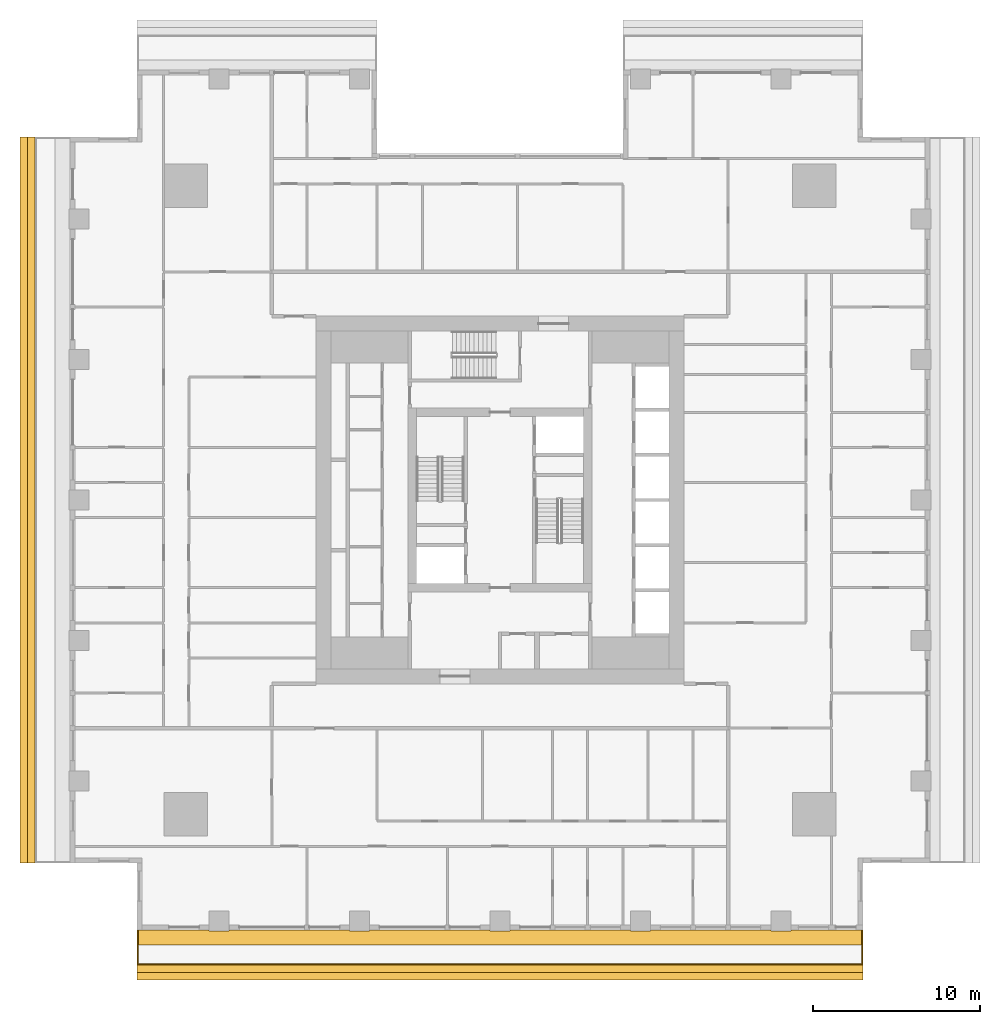
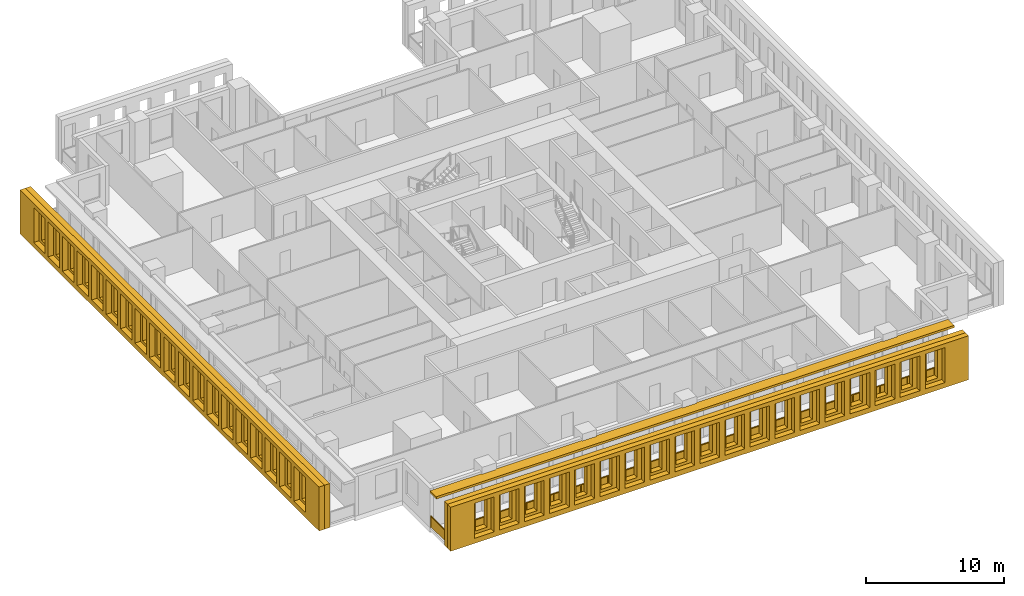
# One storey, part 11 of 16: 5 shading devices, 1 railing.
"""IFC4 building model written with IfcOpenShell, lengths in metres."""

from ifc_helpers import new_model, si_unit, direction, frame, origin, origin_2d, place, context, subcontext, project, spatial, polyline, rectangle, outline, extrude, material, layer, layer_set, type_object, element, save


model = new_model("IFC4")

# Units and contexts
model_context = context("Model", 3, precision=1e-05, world=origin(), true_north=direction((0.0, 1.0)))
body_context = subcontext(model_context, "Body", "Model", "MODEL_VIEW")
ifc_project = project(units=[si_unit("LENGTHUNIT", "METRE"), si_unit("AREAUNIT", "SQUARE_METRE"), si_unit("VOLUMEUNIT", "CUBIC_METRE"), si_unit("PLANEANGLEUNIT", "RADIAN"), si_unit("MASSUNIT", "GRAM", prefix="KILO")], contexts=[model_context])

# Site, building, storey
site_placement = place(None, origin())
site = spatial("IfcSite", under=ifc_project, at=site_placement, CompositionType="ELEMENT")
building_placement = place(site_placement, origin())
building = spatial("IfcBuilding", under=site, at=building_placement, Name="Khepri Terraces", CompositionType="ELEMENT")
storey_placement = place(building_placement, frame((0.0, 0.0, 153.300048828125)))
storey = spatial("IfcBuildingStorey", under=building, at=storey_placement, Name="L36", CompositionType="ELEMENT", Elevation=153.300048828125)

# Railing
ifc_material_1 = material(Name="Stainless steel grade 316", Category="steel")
railing_type = type_object("IfcRailingType", Name="GRD-BAL-1100", PredefinedType="GUARDRAIL", material=ifc_material_1)
railing_placement = place(storey_placement, frame((-21.669921875, -25.719970703125, 0.0)))
element("IfcRailing", 1, at=railing_placement, inside=storey, type_object=railing_type, Name="Balcony guard L36 S", PredefinedType="GUARDRAIL", context=body_context, shape_type="SweptSolid", body=[
    extrude(rectangle(XDim=0.050048828125, YDim=0.06005859375, at=origin_2d()), frame((0.0, 0.0, 1.070068359375), z_axis=(0.0, -1.0, 0.0), x_axis=(1.0, 0.0, 0.0)), (0.0, 0.0, 1.0), 2.050048828125),
    extrude(rectangle(XDim=2.0, YDim=0.011962890625, at=origin_2d()), frame((0.0, -1.02490234375, 0.10009765625), z_axis=(0.0, 0.0, 1.0), x_axis=(0.0, -1.0, 0.0)), (0.0, 0.0, 1.0), 0.93994140625),
    extrude(rectangle(XDim=0.050048828125, YDim=0.06005859375, at=origin_2d()), frame((0.0, -2.050048828125, 1.070068359375), z_axis=(1.0, 0.0, 0.0), x_axis=(0.0, 1.0, 0.0)), (0.0, 0.0, 1.0), 43.33984375),
    extrude(rectangle(XDim=2.23095703125, YDim=0.011962890625, at=origin_2d()), frame((1.140625, -2.050048828125, 0.10009765625), z_axis=(0.0, 0.0, 1.0), x_axis=(1.0, 0.0, 0.0)), (0.0, 0.0, 1.0), 0.93994140625),
    extrude(rectangle(XDim=2.23095703125, YDim=0.011962890625, at=origin_2d()), frame((3.421630859375, -2.050048828125, 0.10009765625), z_axis=(0.0, 0.0, 1.0), x_axis=(1.0, 0.0, 0.0)), (0.0, 0.0, 1.0), 0.93994140625),
    extrude(rectangle(XDim=2.23095703125, YDim=0.011962890625, at=origin_2d()), frame((5.70263671875, -2.050048828125, 0.10009765625), z_axis=(0.0, 0.0, 1.0), x_axis=(1.0, 0.0, 0.0)), (0.0, 0.0, 1.0), 0.93994140625),
    extrude(rectangle(XDim=2.23095703125, YDim=0.011962890625, at=origin_2d()), frame((7.983642578125, -2.050048828125, 0.10009765625), z_axis=(0.0, 0.0, 1.0), x_axis=(1.0, 0.0, 0.0)), (0.0, 0.0, 1.0), 0.93994140625),
    extrude(rectangle(XDim=2.23095703125, YDim=0.011962890625, at=origin_2d()), frame((10.2646484375, -2.050048828125, 0.10009765625), z_axis=(0.0, 0.0, 1.0), x_axis=(1.0, 0.0, 0.0)), (0.0, 0.0, 1.0), 0.93994140625),
    extrude(rectangle(XDim=2.23095703125, YDim=0.011962890625, at=origin_2d()), frame((12.545654296875, -2.050048828125, 0.10009765625), z_axis=(0.0, 0.0, 1.0), x_axis=(1.0, 0.0, 0.0)), (0.0, 0.0, 1.0), 0.93994140625),
    extrude(rectangle(XDim=2.23095703125, YDim=0.011962890625, at=origin_2d()), frame((14.826904296875, -2.050048828125, 0.10009765625), z_axis=(0.0, 0.0, 1.0), x_axis=(1.0, 0.0, 0.0)), (0.0, 0.0, 1.0), 0.93994140625),
    extrude(rectangle(XDim=2.23095703125, YDim=0.011962890625, at=origin_2d()), frame((17.10791015625, -2.050048828125, 0.10009765625), z_axis=(0.0, 0.0, 1.0), x_axis=(1.0, 0.0, 0.0)), (0.0, 0.0, 1.0), 0.93994140625),
    extrude(rectangle(XDim=2.23095703125, YDim=0.011962890625, at=origin_2d()), frame((19.388916015625, -2.050048828125, 0.10009765625), z_axis=(0.0, 0.0, 1.0), x_axis=(1.0, 0.0, 0.0)), (0.0, 0.0, 1.0), 0.93994140625),
    extrude(rectangle(XDim=2.23095703125, YDim=0.011962890625, at=origin_2d()), frame((21.669921875, -2.050048828125, 0.10009765625), z_axis=(0.0, 0.0, 1.0), x_axis=(1.0, 0.0, 0.0)), (0.0, 0.0, 1.0), 0.93994140625),
    extrude(rectangle(XDim=2.23095703125, YDim=0.011962890625, at=origin_2d()), frame((23.950927734375, -2.050048828125, 0.10009765625), z_axis=(0.0, 0.0, 1.0), x_axis=(1.0, 0.0, 0.0)), (0.0, 0.0, 1.0), 0.93994140625),
    extrude(rectangle(XDim=2.23095703125, YDim=0.011962890625, at=origin_2d()), frame((26.23193359375, -2.050048828125, 0.10009765625), z_axis=(0.0, 0.0, 1.0), x_axis=(1.0, 0.0, 0.0)), (0.0, 0.0, 1.0), 0.93994140625),
    extrude(rectangle(XDim=2.23095703125, YDim=0.011962890625, at=origin_2d()), frame((28.512939453125, -2.050048828125, 0.10009765625), z_axis=(0.0, 0.0, 1.0), x_axis=(1.0, 0.0, 0.0)), (0.0, 0.0, 1.0), 0.93994140625),
    extrude(rectangle(XDim=2.23095703125, YDim=0.011962890625, at=origin_2d()), frame((30.794189453125, -2.050048828125, 0.10009765625), z_axis=(0.0, 0.0, 1.0), x_axis=(1.0, 0.0, 0.0)), (0.0, 0.0, 1.0), 0.93994140625),
    extrude(rectangle(XDim=2.23095703125, YDim=0.011962890625, at=origin_2d()), frame((33.0751953125, -2.050048828125, 0.10009765625), z_axis=(0.0, 0.0, 1.0), x_axis=(1.0, 0.0, 0.0)), (0.0, 0.0, 1.0), 0.93994140625),
    extrude(rectangle(XDim=2.23095703125, YDim=0.011962890625, at=origin_2d()), frame((35.356201171875, -2.050048828125, 0.10009765625), z_axis=(0.0, 0.0, 1.0), x_axis=(1.0, 0.0, 0.0)), (0.0, 0.0, 1.0), 0.93994140625),
    extrude(rectangle(XDim=2.23095703125, YDim=0.011962890625, at=origin_2d()), frame((37.63720703125, -2.050048828125, 0.10009765625), z_axis=(0.0, 0.0, 1.0), x_axis=(1.0, 0.0, 0.0)), (0.0, 0.0, 1.0), 0.93994140625),
    extrude(rectangle(XDim=2.23095703125, YDim=0.011962890625, at=origin_2d()), frame((39.918212890625, -2.050048828125, 0.10009765625), z_axis=(0.0, 0.0, 1.0), x_axis=(1.0, 0.0, 0.0)), (0.0, 0.0, 1.0), 0.93994140625),
    extrude(rectangle(XDim=2.23095703125, YDim=0.011962890625, at=origin_2d()), frame((42.19921875, -2.050048828125, 0.10009765625), z_axis=(0.0, 0.0, 1.0), x_axis=(1.0, 0.0, 0.0)), (0.0, 0.0, 1.0), 0.93994140625),
    extrude(rectangle(XDim=0.050048828125, YDim=0.06005859375, at=origin_2d()), frame((43.33984375, -2.050048828125, 1.070068359375), z_axis=(0.0, 1.0, 0.0), x_axis=(-1.0, 0.0, 0.0)), (0.0, 0.0, 1.0), 2.050048828125),
    extrude(rectangle(XDim=2.0, YDim=0.011962890625, at=origin_2d()), frame((43.33984375, -1.02490234375, 0.10009765625), z_axis=(0.0, 0.0, 1.0), x_axis=(0.0, 1.0, 0.0)), (0.0, 0.0, 1.0), 0.93994140625),
    extrude(rectangle(XDim=0.050048828125, YDim=0.050048828125, at=origin_2d()), origin(), (0.0, 0.0, 1.0), 1.0400390625),
    extrude(rectangle(XDim=0.050048828125, YDim=0.050048828125, at=origin_2d()), frame((0.0, -2.050048828125, 0.0)), (0.0, 0.0, 1.0), 1.0400390625),
    extrude(rectangle(XDim=0.050048828125, YDim=0.050048828125, at=origin_2d()), frame((2.281005859375, -2.050048828125, 0.0)), (0.0, 0.0, 1.0), 1.0400390625),
    extrude(rectangle(XDim=0.050048828125, YDim=0.050048828125, at=origin_2d()), frame((4.56201171875, -2.050048828125, 0.0)), (0.0, 0.0, 1.0), 1.0400390625),
    extrude(rectangle(XDim=0.050048828125, YDim=0.050048828125, at=origin_2d()), frame((6.843017578125, -2.050048828125, 0.0)), (0.0, 0.0, 1.0), 1.0400390625),
    extrude(rectangle(XDim=0.050048828125, YDim=0.050048828125, at=origin_2d()), frame((9.124267578125, -2.050048828125, 0.0)), (0.0, 0.0, 1.0), 1.0400390625),
    extrude(rectangle(XDim=0.050048828125, YDim=0.050048828125, at=origin_2d()), frame((11.4052734375, -2.050048828125, 0.0)), (0.0, 0.0, 1.0), 1.0400390625),
    extrude(rectangle(XDim=0.050048828125, YDim=0.050048828125, at=origin_2d()), frame((13.686279296875, -2.050048828125, 0.0)), (0.0, 0.0, 1.0), 1.0400390625),
    extrude(rectangle(XDim=0.050048828125, YDim=0.050048828125, at=origin_2d()), frame((15.96728515625, -2.050048828125, 0.0)), (0.0, 0.0, 1.0), 1.0400390625),
    extrude(rectangle(XDim=0.050048828125, YDim=0.050048828125, at=origin_2d()), frame((18.248291015625, -2.050048828125, 0.0)), (0.0, 0.0, 1.0), 1.0400390625),
    extrude(rectangle(XDim=0.050048828125, YDim=0.050048828125, at=origin_2d()), frame((20.529296875, -2.050048828125, 0.0)), (0.0, 0.0, 1.0), 1.0400390625),
    extrude(rectangle(XDim=0.050048828125, YDim=0.050048828125, at=origin_2d()), frame((22.810546875, -2.050048828125, 0.0)), (0.0, 0.0, 1.0), 1.0400390625),
    extrude(rectangle(XDim=0.050048828125, YDim=0.050048828125, at=origin_2d()), frame((25.091552734375, -2.050048828125, 0.0)), (0.0, 0.0, 1.0), 1.0400390625),
    extrude(rectangle(XDim=0.050048828125, YDim=0.050048828125, at=origin_2d()), frame((27.37255859375, -2.050048828125, 0.0)), (0.0, 0.0, 1.0), 1.0400390625),
    extrude(rectangle(XDim=0.050048828125, YDim=0.050048828125, at=origin_2d()), frame((29.653564453125, -2.050048828125, 0.0)), (0.0, 0.0, 1.0), 1.0400390625),
    extrude(rectangle(XDim=0.050048828125, YDim=0.050048828125, at=origin_2d()), frame((31.9345703125, -2.050048828125, 0.0)), (0.0, 0.0, 1.0), 1.0400390625),
    extrude(rectangle(XDim=0.050048828125, YDim=0.050048828125, at=origin_2d()), frame((34.215576171875, -2.050048828125, 0.0)), (0.0, 0.0, 1.0), 1.0400390625),
    extrude(rectangle(XDim=0.050048828125, YDim=0.050048828125, at=origin_2d()), frame((36.496826171875, -2.050048828125, 0.0)), (0.0, 0.0, 1.0), 1.0400390625),
    extrude(rectangle(XDim=0.050048828125, YDim=0.050048828125, at=origin_2d()), frame((38.77783203125, -2.050048828125, 0.0)), (0.0, 0.0, 1.0), 1.0400390625),
    extrude(rectangle(XDim=0.050048828125, YDim=0.050048828125, at=origin_2d()), frame((41.058837890625, -2.050048828125, 0.0)), (0.0, 0.0, 1.0), 1.0400390625),
    extrude(rectangle(XDim=0.050048828125, YDim=0.050048828125, at=origin_2d()), frame((43.33984375, -2.050048828125, 0.0)), (0.0, 0.0, 1.0), 1.0400390625),
    extrude(rectangle(XDim=0.050048828125, YDim=0.050048828125, at=origin_2d()), frame((43.33984375, 0.0, 0.0)), (0.0, 0.0, 1.0), 1.0400390625),
])

# Shading devices
ifc_material_2 = material(Name="Precast concrete C50/60 warm stone", Category="masonry")
shading_device_type_1 = type_object("IfcShadingDeviceType", Name="SCR-CELL-INNER-450", PredefinedType="USERDEFINED", material=ifc_material_2)
shading_device_1_placement = place(storey_placement, frame((-21.719970703125, -27.820068359375, -0.25), z_axis=(0.0, -1.0, 0.0), x_axis=(1.0, 0.0, 0.0)))
element("IfcShadingDevice", 2, at=shading_device_1_placement, inside=storey, type_object=shading_device_type_1, Name="Cell screen L36 S in", ObjectType="SCREEN", PredefinedType="USERDEFINED", context=body_context, shape_type="SweptSolid", body=[
    extrude(outline(polyline([(0.0, 0.0), (43.43994140625, 0.0), (43.43994140625, 3.89990234375), (0.0, 3.89990234375), (0.0, 0.0)]), holes=[polyline([(0.24755859375, 0.699951171875), (1.1923828125, 0.699951171875), (1.1923828125, 3.300048828125), (0.24755859375, 3.300048828125), (0.24755859375, 0.699951171875)]), polyline([(2.347412109375, 0.699951171875), (3.29248046875, 0.699951171875), (3.29248046875, 3.300048828125), (2.347412109375, 3.300048828125), (2.347412109375, 0.699951171875)]), polyline([(4.447509765625, 0.699951171875), (5.392578125, 0.699951171875), (5.392578125, 3.300048828125), (4.447509765625, 3.300048828125), (4.447509765625, 0.699951171875)]), polyline([(6.547607421875, 0.699951171875), (7.492431640625, 0.699951171875), (7.492431640625, 3.300048828125), (6.547607421875, 3.300048828125), (6.547607421875, 0.699951171875)]), polyline([(8.6474609375, 0.699951171875), (9.592529296875, 0.699951171875), (9.592529296875, 3.300048828125), (8.6474609375, 3.300048828125), (8.6474609375, 0.699951171875)]), polyline([(10.74755859375, 0.699951171875), (11.6923828125, 0.699951171875), (11.6923828125, 3.300048828125), (10.74755859375, 3.300048828125), (10.74755859375, 0.699951171875)]), polyline([(12.847412109375, 0.699951171875), (13.79248046875, 0.699951171875), (13.79248046875, 3.300048828125), (12.847412109375, 3.300048828125), (12.847412109375, 0.699951171875)]), polyline([(14.947509765625, 0.699951171875), (15.892578125, 0.699951171875), (15.892578125, 3.300048828125), (14.947509765625, 3.300048828125), (14.947509765625, 0.699951171875)]), polyline([(17.047607421875, 0.699951171875), (17.992431640625, 0.699951171875), (17.992431640625, 3.300048828125), (17.047607421875, 3.300048828125), (17.047607421875, 0.699951171875)]), polyline([(19.1474609375, 0.699951171875), (20.092529296875, 0.699951171875), (20.092529296875, 3.300048828125), (19.1474609375, 3.300048828125), (19.1474609375, 0.699951171875)]), polyline([(21.24755859375, 0.699951171875), (22.1923828125, 0.699951171875), (22.1923828125, 3.300048828125), (21.24755859375, 3.300048828125), (21.24755859375, 0.699951171875)]), polyline([(23.347412109375, 0.699951171875), (24.29248046875, 0.699951171875), (24.29248046875, 3.300048828125), (23.347412109375, 3.300048828125), (23.347412109375, 0.699951171875)]), polyline([(25.447509765625, 0.699951171875), (26.392578125, 0.699951171875), (26.392578125, 3.300048828125), (25.447509765625, 3.300048828125), (25.447509765625, 0.699951171875)]), polyline([(27.547607421875, 0.699951171875), (28.492431640625, 0.699951171875), (28.492431640625, 3.300048828125), (27.547607421875, 3.300048828125), (27.547607421875, 0.699951171875)]), polyline([(29.6474609375, 0.699951171875), (30.592529296875, 0.699951171875), (30.592529296875, 3.300048828125), (29.6474609375, 3.300048828125), (29.6474609375, 0.699951171875)]), polyline([(31.74755859375, 0.699951171875), (32.6923828125, 0.699951171875), (32.6923828125, 3.300048828125), (31.74755859375, 3.300048828125), (31.74755859375, 0.699951171875)]), polyline([(33.847412109375, 0.699951171875), (34.79248046875, 0.699951171875), (34.79248046875, 3.300048828125), (33.847412109375, 3.300048828125), (33.847412109375, 0.699951171875)]), polyline([(35.947509765625, 0.699951171875), (36.892578125, 0.699951171875), (36.892578125, 3.300048828125), (35.947509765625, 3.300048828125), (35.947509765625, 0.699951171875)]), polyline([(38.047607421875, 0.699951171875), (38.992431640625, 0.699951171875), (38.992431640625, 3.300048828125), (38.047607421875, 3.300048828125), (38.047607421875, 0.699951171875)]), polyline([(40.1474609375, 0.699951171875), (41.092529296875, 0.699951171875), (41.092529296875, 3.300048828125), (40.1474609375, 3.300048828125), (40.1474609375, 0.699951171875)]), polyline([(42.24755859375, 0.699951171875), (43.1923828125, 0.699951171875), (43.1923828125, 3.300048828125), (42.24755859375, 3.300048828125), (42.24755859375, 0.699951171875)])]), origin(), (0.0, 0.0, 1.0), 0.449951171875),
])
shading_device_2_placement = place(storey_placement, frame((-27.820068359375, 21.719970703125, -0.25), z_axis=(-1.0, 0.0, 0.0), x_axis=(0.0, -1.0, 0.0)))
element("IfcShadingDevice", 3, at=shading_device_2_placement, inside=storey, type_object=shading_device_type_1, Name="Cell screen L36 W in", ObjectType="SCREEN", PredefinedType="USERDEFINED", context=body_context, shape_type="SweptSolid", body=[
    extrude(outline(polyline([(0.0, 0.0), (43.43994140625, 0.0), (43.43994140625, 3.89990234375), (0.0, 3.89990234375), (0.0, 0.0)]), holes=[polyline([(0.24755859375, 0.699951171875), (1.1923828125, 0.699951171875), (1.1923828125, 3.300048828125), (0.24755859375, 3.300048828125), (0.24755859375, 0.699951171875)]), polyline([(2.347412109375, 0.699951171875), (3.29248046875, 0.699951171875), (3.29248046875, 3.300048828125), (2.347412109375, 3.300048828125), (2.347412109375, 0.699951171875)]), polyline([(4.447509765625, 0.699951171875), (5.392578125, 0.699951171875), (5.392578125, 3.300048828125), (4.447509765625, 3.300048828125), (4.447509765625, 0.699951171875)]), polyline([(6.547607421875, 0.699951171875), (7.492431640625, 0.699951171875), (7.492431640625, 3.300048828125), (6.547607421875, 3.300048828125), (6.547607421875, 0.699951171875)]), polyline([(8.6474609375, 0.699951171875), (9.592529296875, 0.699951171875), (9.592529296875, 3.300048828125), (8.6474609375, 3.300048828125), (8.6474609375, 0.699951171875)]), polyline([(10.74755859375, 0.699951171875), (11.6923828125, 0.699951171875), (11.6923828125, 3.300048828125), (10.74755859375, 3.300048828125), (10.74755859375, 0.699951171875)]), polyline([(12.847412109375, 0.699951171875), (13.79248046875, 0.699951171875), (13.79248046875, 3.300048828125), (12.847412109375, 3.300048828125), (12.847412109375, 0.699951171875)]), polyline([(14.947509765625, 0.699951171875), (15.892578125, 0.699951171875), (15.892578125, 3.300048828125), (14.947509765625, 3.300048828125), (14.947509765625, 0.699951171875)]), polyline([(17.047607421875, 0.699951171875), (17.992431640625, 0.699951171875), (17.992431640625, 3.300048828125), (17.047607421875, 3.300048828125), (17.047607421875, 0.699951171875)]), polyline([(19.1474609375, 0.699951171875), (20.092529296875, 0.699951171875), (20.092529296875, 3.300048828125), (19.1474609375, 3.300048828125), (19.1474609375, 0.699951171875)]), polyline([(21.24755859375, 0.699951171875), (22.1923828125, 0.699951171875), (22.1923828125, 3.300048828125), (21.24755859375, 3.300048828125), (21.24755859375, 0.699951171875)]), polyline([(23.347412109375, 0.699951171875), (24.29248046875, 0.699951171875), (24.29248046875, 3.300048828125), (23.347412109375, 3.300048828125), (23.347412109375, 0.699951171875)]), polyline([(25.447509765625, 0.699951171875), (26.392578125, 0.699951171875), (26.392578125, 3.300048828125), (25.447509765625, 3.300048828125), (25.447509765625, 0.699951171875)]), polyline([(27.547607421875, 0.699951171875), (28.492431640625, 0.699951171875), (28.492431640625, 3.300048828125), (27.547607421875, 3.300048828125), (27.547607421875, 0.699951171875)]), polyline([(29.6474609375, 0.699951171875), (30.592529296875, 0.699951171875), (30.592529296875, 3.300048828125), (29.6474609375, 3.300048828125), (29.6474609375, 0.699951171875)]), polyline([(31.74755859375, 0.699951171875), (32.6923828125, 0.699951171875), (32.6923828125, 3.300048828125), (31.74755859375, 3.300048828125), (31.74755859375, 0.699951171875)]), polyline([(33.847412109375, 0.699951171875), (34.79248046875, 0.699951171875), (34.79248046875, 3.300048828125), (33.847412109375, 3.300048828125), (33.847412109375, 0.699951171875)]), polyline([(35.947509765625, 0.699951171875), (36.892578125, 0.699951171875), (36.892578125, 3.300048828125), (35.947509765625, 3.300048828125), (35.947509765625, 0.699951171875)]), polyline([(38.047607421875, 0.699951171875), (38.992431640625, 0.699951171875), (38.992431640625, 3.300048828125), (38.047607421875, 3.300048828125), (38.047607421875, 0.699951171875)]), polyline([(40.1474609375, 0.699951171875), (41.092529296875, 0.699951171875), (41.092529296875, 3.300048828125), (40.1474609375, 3.300048828125), (40.1474609375, 0.699951171875)]), polyline([(42.24755859375, 0.699951171875), (43.1923828125, 0.699951171875), (43.1923828125, 3.300048828125), (42.24755859375, 3.300048828125), (42.24755859375, 0.699951171875)])]), origin(), (0.0, 0.0, 1.0), 0.449951171875),
])
shading_device_type_2 = type_object("IfcShadingDeviceType", Name="SCR-CELL-OUTER-450", PredefinedType="USERDEFINED", material=ifc_material_2)
shading_device_3_placement = place(storey_placement, frame((-21.719970703125, -28.27001953125, -0.25), z_axis=(0.0, -1.0, 0.0), x_axis=(1.0, 0.0, 0.0)))
element("IfcShadingDevice", 4, at=shading_device_3_placement, inside=storey, type_object=shading_device_type_2, Name="Cell screen L36 S out", ObjectType="SCREEN", PredefinedType="USERDEFINED", context=body_context, shape_type="SweptSolid", body=[
    extrude(outline(polyline([(0.0, 0.0), (43.43994140625, 0.0), (43.43994140625, 3.89990234375), (0.0, 3.89990234375), (0.0, 0.0)]), holes=[polyline([(1.99755859375, 0.449951171875), (3.642578125, 0.449951171875), (3.642578125, 3.550048828125), (1.99755859375, 3.550048828125), (1.99755859375, 0.449951171875)]), polyline([(4.097412109375, 0.449951171875), (5.742431640625, 0.449951171875), (5.742431640625, 3.550048828125), (4.097412109375, 3.550048828125), (4.097412109375, 0.449951171875)]), polyline([(6.197509765625, 0.449951171875), (7.842529296875, 0.449951171875), (7.842529296875, 3.550048828125), (6.197509765625, 3.550048828125), (6.197509765625, 0.449951171875)]), polyline([(8.297607421875, 0.449951171875), (9.9423828125, 0.449951171875), (9.9423828125, 3.550048828125), (8.297607421875, 3.550048828125), (8.297607421875, 0.449951171875)]), polyline([(10.3974609375, 0.449951171875), (12.04248046875, 0.449951171875), (12.04248046875, 3.550048828125), (10.3974609375, 3.550048828125), (10.3974609375, 0.449951171875)]), polyline([(12.49755859375, 0.449951171875), (14.142578125, 0.449951171875), (14.142578125, 3.550048828125), (12.49755859375, 3.550048828125), (12.49755859375, 0.449951171875)]), polyline([(14.597412109375, 0.449951171875), (16.242431640625, 0.449951171875), (16.242431640625, 3.550048828125), (14.597412109375, 3.550048828125), (14.597412109375, 0.449951171875)]), polyline([(16.697509765625, 0.449951171875), (18.342529296875, 0.449951171875), (18.342529296875, 3.550048828125), (16.697509765625, 3.550048828125), (16.697509765625, 0.449951171875)]), polyline([(18.797607421875, 0.449951171875), (20.4423828125, 0.449951171875), (20.4423828125, 3.550048828125), (18.797607421875, 3.550048828125), (18.797607421875, 0.449951171875)]), polyline([(20.8974609375, 0.449951171875), (22.54248046875, 0.449951171875), (22.54248046875, 3.550048828125), (20.8974609375, 3.550048828125), (20.8974609375, 0.449951171875)]), polyline([(22.99755859375, 0.449951171875), (24.642578125, 0.449951171875), (24.642578125, 3.550048828125), (22.99755859375, 3.550048828125), (22.99755859375, 0.449951171875)]), polyline([(25.097412109375, 0.449951171875), (26.742431640625, 0.449951171875), (26.742431640625, 3.550048828125), (25.097412109375, 3.550048828125), (25.097412109375, 0.449951171875)]), polyline([(27.197509765625, 0.449951171875), (28.842529296875, 0.449951171875), (28.842529296875, 3.550048828125), (27.197509765625, 3.550048828125), (27.197509765625, 0.449951171875)]), polyline([(29.297607421875, 0.449951171875), (30.9423828125, 0.449951171875), (30.9423828125, 3.550048828125), (29.297607421875, 3.550048828125), (29.297607421875, 0.449951171875)]), polyline([(31.3974609375, 0.449951171875), (33.04248046875, 0.449951171875), (33.04248046875, 3.550048828125), (31.3974609375, 3.550048828125), (31.3974609375, 0.449951171875)]), polyline([(33.49755859375, 0.449951171875), (35.142578125, 0.449951171875), (35.142578125, 3.550048828125), (33.49755859375, 3.550048828125), (33.49755859375, 0.449951171875)]), polyline([(35.597412109375, 0.449951171875), (37.242431640625, 0.449951171875), (37.242431640625, 3.550048828125), (35.597412109375, 3.550048828125), (35.597412109375, 0.449951171875)]), polyline([(37.697509765625, 0.449951171875), (39.342529296875, 0.449951171875), (39.342529296875, 3.550048828125), (37.697509765625, 3.550048828125), (37.697509765625, 0.449951171875)]), polyline([(39.797607421875, 0.449951171875), (41.4423828125, 0.449951171875), (41.4423828125, 3.550048828125), (39.797607421875, 3.550048828125), (39.797607421875, 0.449951171875)])]), origin(), (0.0, 0.0, 1.0), 0.449951171875),
])
shading_device_4_placement = place(storey_placement, frame((-28.27001953125, 21.719970703125, -0.25), z_axis=(-1.0, 0.0, 0.0), x_axis=(0.0, -1.0, 0.0)))
element("IfcShadingDevice", 5, at=shading_device_4_placement, inside=storey, type_object=shading_device_type_2, Name="Cell screen L36 W out", ObjectType="SCREEN", PredefinedType="USERDEFINED", context=body_context, shape_type="SweptSolid", body=[
    extrude(outline(polyline([(0.0, 0.0), (43.43994140625, 0.0), (43.43994140625, 3.89990234375), (0.0, 3.89990234375), (0.0, 0.0)]), holes=[polyline([(1.99755859375, 0.449951171875), (3.642578125, 0.449951171875), (3.642578125, 3.550048828125), (1.99755859375, 3.550048828125), (1.99755859375, 0.449951171875)]), polyline([(4.097412109375, 0.449951171875), (5.742431640625, 0.449951171875), (5.742431640625, 3.550048828125), (4.097412109375, 3.550048828125), (4.097412109375, 0.449951171875)]), polyline([(6.197509765625, 0.449951171875), (7.842529296875, 0.449951171875), (7.842529296875, 3.550048828125), (6.197509765625, 3.550048828125), (6.197509765625, 0.449951171875)]), polyline([(8.297607421875, 0.449951171875), (9.9423828125, 0.449951171875), (9.9423828125, 3.550048828125), (8.297607421875, 3.550048828125), (8.297607421875, 0.449951171875)]), polyline([(10.3974609375, 0.449951171875), (12.04248046875, 0.449951171875), (12.04248046875, 3.550048828125), (10.3974609375, 3.550048828125), (10.3974609375, 0.449951171875)]), polyline([(12.49755859375, 0.449951171875), (14.142578125, 0.449951171875), (14.142578125, 3.550048828125), (12.49755859375, 3.550048828125), (12.49755859375, 0.449951171875)]), polyline([(14.597412109375, 0.449951171875), (16.242431640625, 0.449951171875), (16.242431640625, 3.550048828125), (14.597412109375, 3.550048828125), (14.597412109375, 0.449951171875)]), polyline([(16.697509765625, 0.449951171875), (18.342529296875, 0.449951171875), (18.342529296875, 3.550048828125), (16.697509765625, 3.550048828125), (16.697509765625, 0.449951171875)]), polyline([(18.797607421875, 0.449951171875), (20.4423828125, 0.449951171875), (20.4423828125, 3.550048828125), (18.797607421875, 3.550048828125), (18.797607421875, 0.449951171875)]), polyline([(20.8974609375, 0.449951171875), (22.54248046875, 0.449951171875), (22.54248046875, 3.550048828125), (20.8974609375, 3.550048828125), (20.8974609375, 0.449951171875)]), polyline([(22.99755859375, 0.449951171875), (24.642578125, 0.449951171875), (24.642578125, 3.550048828125), (22.99755859375, 3.550048828125), (22.99755859375, 0.449951171875)]), polyline([(25.097412109375, 0.449951171875), (26.742431640625, 0.449951171875), (26.742431640625, 3.550048828125), (25.097412109375, 3.550048828125), (25.097412109375, 0.449951171875)]), polyline([(27.197509765625, 0.449951171875), (28.842529296875, 0.449951171875), (28.842529296875, 3.550048828125), (27.197509765625, 3.550048828125), (27.197509765625, 0.449951171875)]), polyline([(29.297607421875, 0.449951171875), (30.9423828125, 0.449951171875), (30.9423828125, 3.550048828125), (29.297607421875, 3.550048828125), (29.297607421875, 0.449951171875)]), polyline([(31.3974609375, 0.449951171875), (33.04248046875, 0.449951171875), (33.04248046875, 3.550048828125), (31.3974609375, 3.550048828125), (31.3974609375, 0.449951171875)]), polyline([(33.49755859375, 0.449951171875), (35.142578125, 0.449951171875), (35.142578125, 3.550048828125), (33.49755859375, 3.550048828125), (33.49755859375, 0.449951171875)]), polyline([(35.597412109375, 0.449951171875), (37.242431640625, 0.449951171875), (37.242431640625, 3.550048828125), (35.597412109375, 3.550048828125), (35.597412109375, 0.449951171875)]), polyline([(37.697509765625, 0.449951171875), (39.342529296875, 0.449951171875), (39.342529296875, 3.550048828125), (37.697509765625, 3.550048828125), (37.697509765625, 0.449951171875)]), polyline([(39.797607421875, 0.449951171875), (41.4423828125, 0.449951171875), (41.4423828125, 3.550048828125), (39.797607421875, 3.550048828125), (39.797607421875, 0.449951171875)])]), origin(), (0.0, 0.0, 1.0), 0.449951171875),
])
ifc_layer = layer(ifc_material_2, 0.199951171875, Name="Precast concrete C50/60 warm stone", Category="masonry")
ifc_layer_set = layer_set([ifc_layer], Name="Precast concrete C50/60 warm stone")
shading_device_type_3 = type_object("IfcShadingDeviceType", Name="SSH-BAND-STONE-200", PredefinedType="USERDEFINED", material=ifc_layer_set)
shading_device_5_placement = place(storey_placement, frame((0.0, 0.0, 3.099853515625)))
element("IfcShadingDevice", 6, at=shading_device_5_placement, inside=storey, type_object=shading_device_type_3, Name="Sunshade band L36 S", ObjectType="SUNSHADE", PredefinedType="USERDEFINED", context=body_context, shape_type="SweptSolid", body=[
    extrude(outline(polyline([(-17.39990234375, -25.719970703125), (-21.719970703125, -25.719970703125), (-21.719970703125, -26.6201171875), (21.719970703125, -26.6201171875), (21.719970703125, -25.719970703125), (17.39990234375, -25.719970703125), (17.39990234375, -25.800048828125), (16.199951171875, -25.800048828125), (16.199951171875, -25.719970703125), (9.0, -25.719970703125), (9.0, -25.800048828125), (7.800048828125, -25.800048828125), (7.800048828125, -25.719970703125), (0.60009765625, -25.719970703125), (0.60009765625, -25.800048828125), (-0.60009765625, -25.800048828125), (-0.60009765625, -25.719970703125), (-7.800048828125, -25.719970703125), (-7.800048828125, -25.800048828125), (-9.0, -25.800048828125), (-9.0, -25.719970703125), (-16.199951171875, -25.719970703125), (-16.199951171875, -25.800048828125), (-17.39990234375, -25.800048828125), (-17.39990234375, -25.719970703125)])), origin(), (0.0, 0.0, 1.0), 0.2001953125),
])

save(model, "model.ifc")
